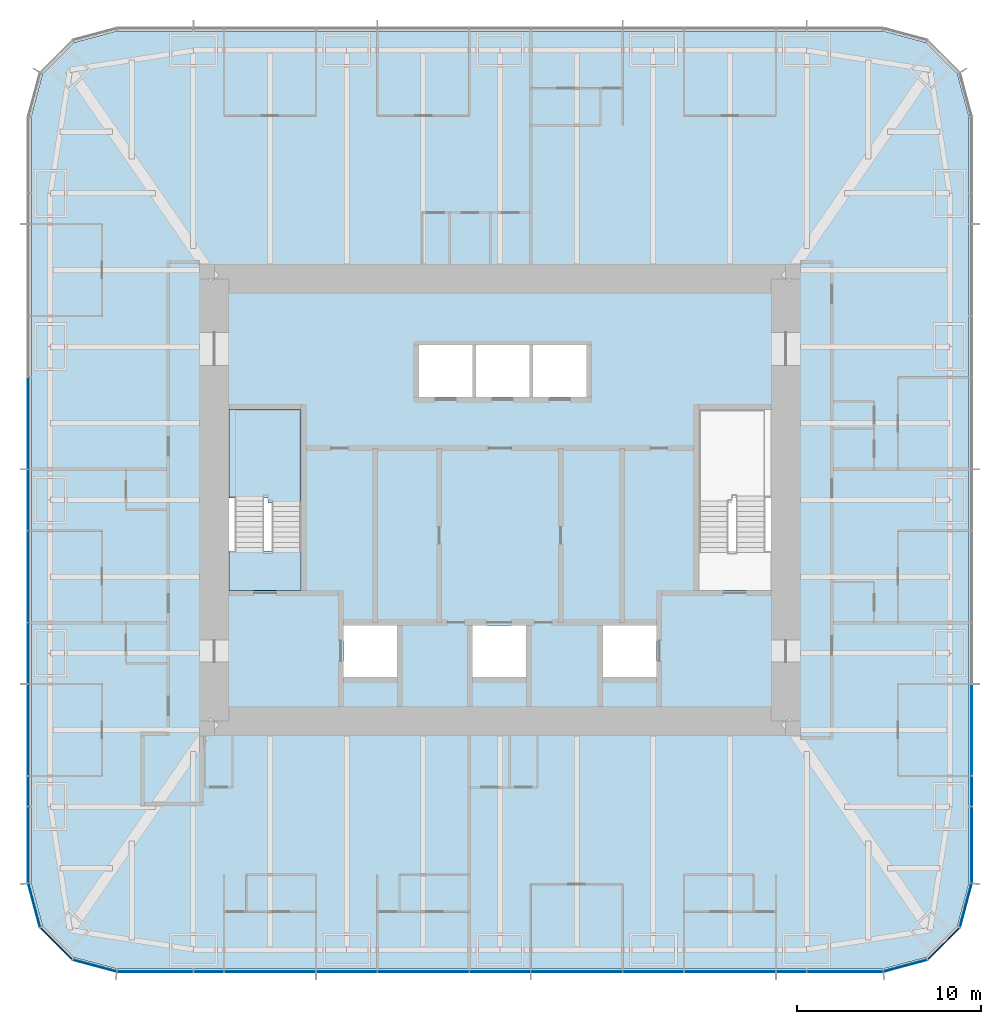
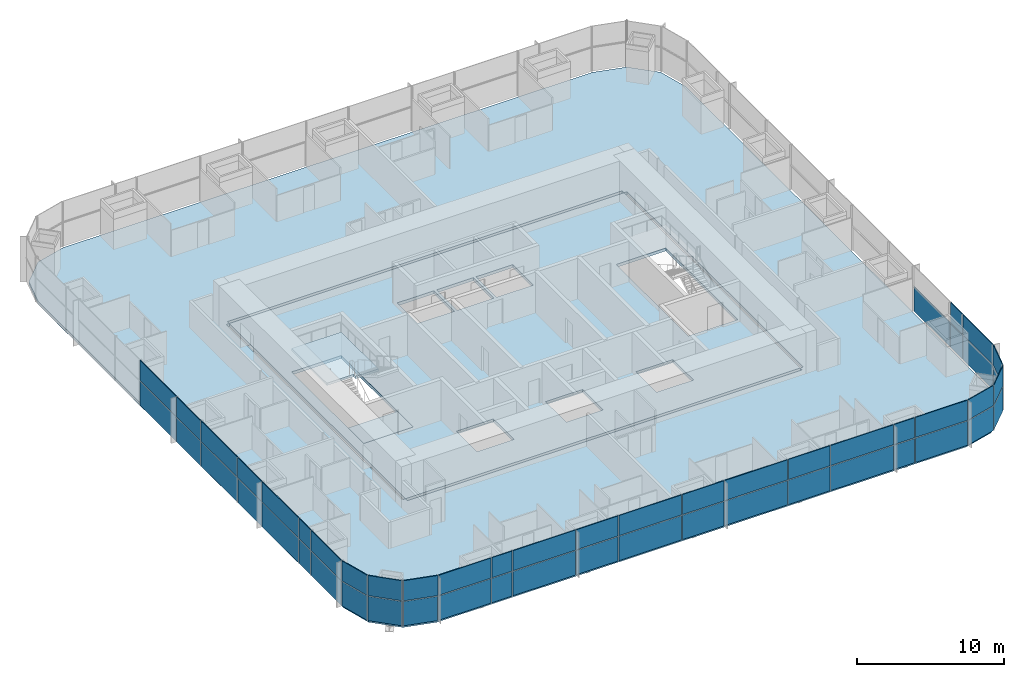
# One storey, part 7 of 13: 53 plates, 4 slabs, 6 elements without a shape of their own.
"""IFC4 building model written with IfcOpenShell, lengths in metres."""

from ifc_helpers import new_model, si_unit, direction, frame, origin, origin_2d, place, context, subcontext, project, spatial, polyline, rectangle, outline, extrude, material, layer, layer_set, type_object, element, aggregate, save


model = new_model("IFC4")

# Units and contexts
model_context = context("Model", 3, precision=1e-05, world=origin(), true_north=direction((0.0, 1.0)))
body_context = subcontext(model_context, "Body", "Model", "MODEL_VIEW")
ifc_project = project(units=[si_unit("LENGTHUNIT", "METRE"), si_unit("AREAUNIT", "SQUARE_METRE"), si_unit("VOLUMEUNIT", "CUBIC_METRE"), si_unit("PLANEANGLEUNIT", "RADIAN"), si_unit("MASSUNIT", "GRAM", prefix="KILO")], contexts=[model_context])

# Site, building, storey
site_placement = place(None, origin())
site = spatial("IfcSite", under=ifc_project, at=site_placement, CompositionType="ELEMENT")
building_placement = place(site_placement, origin())
building = spatial("IfcBuilding", under=site, at=building_placement, Name="Khuree Lantern Residences", CompositionType="ELEMENT")
storey_placement = place(building_placement, frame((0.0, 0.0, 274.5)))
storey = spatial("IfcBuildingStorey", under=building, at=storey_placement, Name="L69", CompositionType="ELEMENT", Elevation=274.5)

# Slab
ifc_material_1 = material(Name="Concrete C35/45", Category="concrete")
ifc_layer_1 = layer(ifc_material_1, 0.25)
ifc_layer_set_1 = layer_set([ifc_layer_1], Name="CFL250 CORE FLOOR SLAB 250")
slab_type_1 = type_object("IfcSlabType", Name="CFL250 CORE FLOOR SLAB 250", PredefinedType="FLOOR", material=ifc_layer_set_1)
slab_1_placement = place(storey_placement, frame((0.0, 0.0, -0.25)))
element("IfcSlab", 1, at=slab_1_placement, inside=storey, type_object=slab_type_1, Name="Core floor L69", PredefinedType="FLOOR", context=body_context, shape_type="SweptSolid", body=[
    extrude(outline(polyline([(-15.5, -12.0), (-15.5, 12.0), (15.5, 12.0), (15.5, -12.0), (-15.5, -12.0)]), holes=[polyline([(10.800048828125, 4.89990234375), (10.800048828125, -4.89990234375), (14.699951171875, -4.89990234375), (14.699951171875, 4.89990234375), (10.800048828125, 4.89990234375)]), polyline([(5.60009765625, -6.800048828125), (5.60009765625, -9.60009765625), (8.5, -9.60009765625), (8.5, -6.800048828125), (5.60009765625, -6.800048828125)]), polyline([(1.800048828125, 8.39990234375), (1.800048828125, 5.60009765625), (4.699951171875, 5.60009765625), (4.699951171875, 8.39990234375), (1.800048828125, 8.39990234375)]), polyline([(-1.300048828125, 8.39990234375), (-1.300048828125, 5.60009765625), (1.60009765625, 5.60009765625), (1.60009765625, 8.39990234375), (-1.300048828125, 8.39990234375)]), polyline([(-1.5, -6.800048828125), (-1.5, -9.60009765625), (1.39990234375, -9.60009765625), (1.39990234375, -6.800048828125), (-1.5, -6.800048828125)]), polyline([(-4.39990234375, 8.39990234375), (-4.39990234375, 5.60009765625), (-1.5, 5.60009765625), (-1.5, 8.39990234375), (-4.39990234375, 8.39990234375)]), polyline([(-8.5, -6.800048828125), (-8.5, -9.60009765625), (-5.60009765625, -9.60009765625), (-5.60009765625, -6.800048828125), (-8.5, -6.800048828125)]), polyline([(-14.699951171875, 4.89990234375), (-14.699951171875, -4.89990234375), (-10.800048828125, -4.89990234375), (-10.800048828125, 4.89990234375), (-14.699951171875, 4.89990234375)])]), origin(), (0.0, 0.0, 1.0), 0.25),
])

# Curtain wall, plates
ifc_material_2 = material(Name="Bronze anodised aluminium", Category="aluminium")
curtain_wall_type_1 = type_object("IfcCurtainWallType", Name="CW-T2 TOWER CORNER CURTAIN WALL", PredefinedType="USERDEFINED", material=ifc_material_2)
curtain_wall_1_placement = place(storey_placement, origin())
curtain_wall_1 = element("IfcCurtainWall", 2, at=curtain_wall_1_placement, inside=storey, type_object=curtain_wall_type_1, Name="L69 SOUTH-EAST CORNER CURTAIN WALL", ObjectType="Faceted corner curtain wall", PredefinedType="USERDEFINED")
ifc_material_3 = material(Name="Bronze tinted triple glazing", Category="glass")
ifc_layer_2 = layer(ifc_material_3, 0.048095703125)
ifc_layer_set_2 = layer_set([ifc_layer_2], Name="FACET PANEL P4")
plate_type_1 = type_object("IfcPlateType", Name="FACET PANEL P4", PredefinedType="CURTAIN_PANEL", material=ifc_layer_set_2)
plate_1_placement = place(storey_placement, frame((21.998046875, -25.279052734375, 0.0), z_axis=(0.0, 0.0, 1.0), x_axis=(0.965925832509, 0.258819021888, 0.0)))
plate_1 = element("IfcPlate", 3, at=plate_1_placement, type_object=plate_type_1, Name="L69 SOUTH-EAST CORNER PANEL 1.1", PredefinedType="CURTAIN_PANEL", context=body_context, shape_type="SweptSolid", body=[
    extrude(rectangle(XDim=2.40869140625, YDim=0.048095703125, at=origin_2d()), origin(), (0.0, 0.0, 1.0), 2.017578125),
])
plate_2_placement = place(storey_placement, frame((24.078369140625, -24.078369140625, 0.0), z_axis=(0.0, 0.0, 1.0), x_axis=(0.707106781187, 0.707106781187, 0.0)))
plate_2 = element("IfcPlate", 4, at=plate_2_placement, type_object=plate_type_1, Name="L69 SOUTH-EAST CORNER PANEL 2.1", PredefinedType="CURTAIN_PANEL", context=body_context, shape_type="SweptSolid", body=[
    extrude(rectangle(XDim=2.404541015625, YDim=0.048095703125, at=origin_2d()), origin(), (0.0, 0.0, 1.0), 2.017578125),
])
plate_3_placement = place(storey_placement, frame((25.279052734375, -21.998046875, 0.0), z_axis=(0.0, 0.0, 1.0), x_axis=(0.258819021888, 0.965925832509, 0.0)))
plate_3 = element("IfcPlate", 5, at=plate_3_placement, type_object=plate_type_1, Name="L69 SOUTH-EAST CORNER PANEL 3.1", PredefinedType="CURTAIN_PANEL", context=body_context, shape_type="SweptSolid", body=[
    extrude(rectangle(XDim=2.40869140625, YDim=0.048095703125, at=origin_2d()), origin(), (0.0, 0.0, 1.0), 2.017578125),
])

curtain_wall_2_placement = place(storey_placement, origin())
curtain_wall_2 = element("IfcCurtainWall", 6, at=curtain_wall_2_placement, inside=storey, type_object=curtain_wall_type_1, Name="L69 SOUTH-WEST CORNER CURTAIN WALL", ObjectType="Faceted corner curtain wall", PredefinedType="USERDEFINED")
plate_4_placement = place(storey_placement, frame((-25.279052734375, -21.998046875, 0.0), z_axis=(0.0, 0.0, 1.0), x_axis=(0.258819021888, -0.965925832509, 0.0)))
plate_4 = element("IfcPlate", 7, at=plate_4_placement, type_object=plate_type_1, Name="L69 SOUTH-WEST CORNER PANEL 43.1", PredefinedType="CURTAIN_PANEL", context=body_context, shape_type="SweptSolid", body=[
    extrude(rectangle(XDim=2.40869140625, YDim=0.048095703125, at=origin_2d()), origin(), (0.0, 0.0, 1.0), 2.017578125),
])
plate_5_placement = place(storey_placement, frame((-24.078369140625, -24.078369140625, 0.0), z_axis=(0.0, 0.0, 1.0), x_axis=(0.707106781187, -0.707106781187, 0.0)))
plate_5 = element("IfcPlate", 8, at=plate_5_placement, type_object=plate_type_1, Name="L69 SOUTH-WEST CORNER PANEL 44.1", PredefinedType="CURTAIN_PANEL", context=body_context, shape_type="SweptSolid", body=[
    extrude(rectangle(XDim=2.404541015625, YDim=0.048095703125, at=origin_2d()), origin(), (0.0, 0.0, 1.0), 2.017578125),
])
plate_6_placement = place(storey_placement, frame((-21.998046875, -25.279052734375, 0.0), z_axis=(0.0, 0.0, 1.0), x_axis=(0.965925832509, -0.258819021888, 0.0)))
plate_6 = element("IfcPlate", 9, at=plate_6_placement, type_object=plate_type_1, Name="L69 SOUTH-WEST CORNER PANEL 45.1", PredefinedType="CURTAIN_PANEL", context=body_context, shape_type="SweptSolid", body=[
    extrude(rectangle(XDim=2.40869140625, YDim=0.048095703125, at=origin_2d()), origin(), (0.0, 0.0, 1.0), 2.017578125),
])

# Curtain wall, plate
curtain_wall_type_2 = type_object("IfcCurtainWallType", Name="CW-T1 TOWER FACE CURTAIN WALL", PredefinedType="USERDEFINED", material=ifc_material_2)
curtain_wall_3_placement = place(storey_placement, origin())
curtain_wall_3 = element("IfcCurtainWall", 10, at=curtain_wall_3_placement, inside=storey, type_object=curtain_wall_type_2, Name="L69 EAST FACE CURTAIN WALL", ObjectType="Stick-built curtain wall", PredefinedType="USERDEFINED")
ifc_material_4 = material(Name="Bronze tinted triple glazing with a ceramic-fritted spandrel band", Category="glass")
ifc_layer_3 = layer(ifc_material_4, 0.048095703125)
ifc_layer_set_3 = layer_set([ifc_layer_3], Name="FIXED LIGHT PANEL P11")
plate_type_2 = type_object("IfcPlateType", Name="FIXED LIGHT PANEL P11", PredefinedType="CURTAIN_PANEL", material=ifc_layer_set_3)
plate_7_placement = place(storey_placement, frame((25.60009765625, -12.47998046875, 0.0), z_axis=(0.0, 0.0, 1.0), x_axis=(0.0, 1.0, 0.0)))
plate_7 = element("IfcPlate", 11, at=plate_7_placement, type_object=plate_type_2, Name="L69 EAST FACE PANEL 6.1", PredefinedType="CURTAIN_PANEL", context=body_context, shape_type="SweptSolid", body=[
    extrude(rectangle(XDim=4.927001953125, YDim=0.048095703125, at=origin_2d()), origin(), (0.0, 0.0, 1.0), 2.017578125),
])

# Curtain wall, plates
curtain_wall_4_placement = place(storey_placement, origin())
curtain_wall_4 = element("IfcCurtainWall", 12, at=curtain_wall_4_placement, inside=storey, type_object=curtain_wall_type_2, Name="L69 WEST FACE CURTAIN WALL", ObjectType="Stick-built curtain wall", PredefinedType="USERDEFINED")
plate_8_placement = place(storey_placement, frame((-25.60009765625, 4.159912109375, 0.0), z_axis=(0.0, 0.0, 1.0), x_axis=(0.0, -1.0, 0.0)))
plate_8 = element("IfcPlate", 13, at=plate_8_placement, type_object=plate_type_2, Name="L69 WEST FACE PANEL 36.1", PredefinedType="CURTAIN_PANEL", context=body_context, shape_type="SweptSolid", body=[
    extrude(rectangle(XDim=4.927001953125, YDim=0.048095703125, at=origin_2d()), origin(), (0.0, 0.0, 1.0), 2.017578125),
])
plate_9_placement = place(storey_placement, frame((-25.60009765625, -4.159912109375, 0.0), z_axis=(0.0, 0.0, 1.0), x_axis=(0.0, -1.0, 0.0)))
plate_9 = element("IfcPlate", 14, at=plate_9_placement, type_object=plate_type_2, Name="L69 WEST FACE PANEL 38.1", PredefinedType="CURTAIN_PANEL", context=body_context, shape_type="SweptSolid", body=[
    extrude(rectangle(XDim=4.927001953125, YDim=0.048095703125, at=origin_2d()), origin(), (0.0, 0.0, 1.0), 2.017578125),
])
plate_10_placement = place(storey_placement, frame((-25.60009765625, -12.47998046875, 0.0), z_axis=(0.0, 0.0, 1.0), x_axis=(0.0, -1.0, 0.0)))
plate_10 = element("IfcPlate", 15, at=plate_10_placement, type_object=plate_type_2, Name="L69 WEST FACE PANEL 40.1", PredefinedType="CURTAIN_PANEL", context=body_context, shape_type="SweptSolid", body=[
    extrude(rectangle(XDim=4.927001953125, YDim=0.048095703125, at=origin_2d()), origin(), (0.0, 0.0, 1.0), 2.017578125),
])

curtain_wall_5_placement = place(storey_placement, origin())
curtain_wall_5 = element("IfcCurtainWall", 16, at=curtain_wall_5_placement, inside=storey, type_object=curtain_wall_type_2, Name="L69 SOUTH FACE CURTAIN WALL", ObjectType="Stick-built curtain wall", PredefinedType="USERDEFINED")
plate_11_placement = place(storey_placement, frame((-12.47998046875, -25.60009765625, 0.0), z_axis=(0.0, 0.0, 1.0), x_axis=(1.0, 0.0, 0.0)))
plate_11 = element("IfcPlate", 17, at=plate_11_placement, type_object=plate_type_2, Name="L69 SOUTH FACE PANEL 48.1", PredefinedType="CURTAIN_PANEL", context=body_context, shape_type="SweptSolid", body=[
    extrude(rectangle(XDim=4.927001953125, YDim=0.048095703125, at=origin_2d()), origin(), (0.0, 0.0, 1.0), 2.017578125),
])
plate_12_placement = place(storey_placement, frame((-4.159912109375, -25.60009765625, 0.0), z_axis=(0.0, 0.0, 1.0), x_axis=(1.0, 0.0, 0.0)))
plate_12 = element("IfcPlate", 18, at=plate_12_placement, type_object=plate_type_2, Name="L69 SOUTH FACE PANEL 50.1", PredefinedType="CURTAIN_PANEL", context=body_context, shape_type="SweptSolid", body=[
    extrude(rectangle(XDim=4.927001953125, YDim=0.048095703125, at=origin_2d()), origin(), (0.0, 0.0, 1.0), 2.017578125),
])
plate_13_placement = place(storey_placement, frame((4.159912109375, -25.60009765625, 0.0), z_axis=(0.0, 0.0, 1.0), x_axis=(1.0, 0.0, 0.0)))
plate_13 = element("IfcPlate", 19, at=plate_13_placement, type_object=plate_type_2, Name="L69 SOUTH FACE PANEL 52.1", PredefinedType="CURTAIN_PANEL", context=body_context, shape_type="SweptSolid", body=[
    extrude(rectangle(XDim=4.927001953125, YDim=0.048095703125, at=origin_2d()), origin(), (0.0, 0.0, 1.0), 2.017578125),
])
plate_14_placement = place(storey_placement, frame((12.47998046875, -25.60009765625, 0.0), z_axis=(0.0, 0.0, 1.0), x_axis=(1.0, 0.0, 0.0)))
plate_14 = element("IfcPlate", 20, at=plate_14_placement, type_object=plate_type_2, Name="L69 SOUTH FACE PANEL 54.1", PredefinedType="CURTAIN_PANEL", context=body_context, shape_type="SweptSolid", body=[
    extrude(rectangle(XDim=4.927001953125, YDim=0.048095703125, at=origin_2d()), origin(), (0.0, 0.0, 1.0), 2.017578125),
])

# Slab
ifc_layer_4 = layer(ifc_material_1, 0.25)
ifc_layer_set_4 = layer_set([ifc_layer_4], Name="FS250 FLOOR SLAB 250")
slab_type_2 = type_object("IfcSlabType", Name="FS250 FLOOR SLAB 250", PredefinedType="FLOOR", material=ifc_layer_set_4)
slab_2_placement = place(storey_placement, frame((0.0, 0.0, -0.25)))
element("IfcSlab", 21, at=slab_2_placement, inside=storey, type_object=slab_type_2, Name="Floor slab L69", PredefinedType="FLOOR", context=body_context, shape_type="SweptSolid", body=[
    extrude(outline(polyline([(-23.125, -24.826904296875), (-24.826904296875, -23.125), (-25.449951171875, -20.800048828125), (-25.449951171875, 20.800048828125), (-24.826904296875, 23.125), (-23.125, 24.826904296875), (-20.800048828125, 25.449951171875), (20.800048828125, 25.449951171875), (23.125, 24.826904296875), (24.826904296875, 23.125), (25.449951171875, 20.800048828125), (25.449951171875, -20.800048828125), (24.826904296875, -23.125), (23.125, -24.826904296875), (20.800048828125, -25.449951171875), (-20.800048828125, -25.449951171875), (-23.125, -24.826904296875)]), holes=[polyline([(15.75, 12.0), (15.5, 12.0), (15.5, 12.25), (-15.5, 12.25), (-15.5, 12.0), (-15.75, 12.0), (-15.75, -12.0), (-15.5, -12.0), (-15.5, -12.25), (15.5, -12.25), (15.5, -12.0), (15.75, -12.0), (15.75, 12.0)])]), origin(), (0.0, 0.0, 1.0), 0.25),
])

# Plate
ifc_material_5 = material(Name="Bronze tinted triple glazing, two aluminium-framed sashes in one frame", Category="aluminium")
ifc_layer_5 = layer(ifc_material_5, 0.048095703125)
ifc_layer_set_5 = layer_set([ifc_layer_5], Name="SASH PAIR PANEL P12")
plate_type_3 = type_object("IfcPlateType", Name="SASH PAIR PANEL P12", PredefinedType="CURTAIN_PANEL", material=ifc_layer_set_5)
plate_15_placement = place(storey_placement, frame((-25.60009765625, 0.0, 0.0), z_axis=(0.0, 0.0, 1.0), x_axis=(0.0, -1.0, 0.0)))
plate_15 = element("IfcPlate", 22, at=plate_15_placement, type_object=plate_type_3, Name="L69 WEST FACE PANEL 37.1", PredefinedType="CURTAIN_PANEL", context=body_context, shape_type="SweptSolid", body=[
    extrude(rectangle(XDim=3.262939453125, YDim=0.048095703125, at=origin_2d()), origin(), (0.0, 0.0, 1.0), 2.017578125),
])

plate_16_placement = place(storey_placement, frame((-25.60009765625, -8.320068359375, 0.0), z_axis=(0.0, 0.0, 1.0), x_axis=(0.0, -1.0, 0.0)))
plate_16 = element("IfcPlate", 23, at=plate_16_placement, type_object=plate_type_3, Name="L69 WEST FACE PANEL 39.1", PredefinedType="CURTAIN_PANEL", context=body_context, shape_type="SweptSolid", body=[
    extrude(rectangle(XDim=3.262939453125, YDim=0.048095703125, at=origin_2d()), origin(), (0.0, 0.0, 1.0), 2.017578125),
])

plate_17_placement = place(storey_placement, frame((-8.320068359375, -25.60009765625, 0.0), z_axis=(0.0, 0.0, 1.0), x_axis=(1.0, 0.0, 0.0)))
plate_17 = element("IfcPlate", 24, at=plate_17_placement, type_object=plate_type_3, Name="L69 SOUTH FACE PANEL 49.1", PredefinedType="CURTAIN_PANEL", context=body_context, shape_type="SweptSolid", body=[
    extrude(rectangle(XDim=3.262939453125, YDim=0.048095703125, at=origin_2d()), origin(), (0.0, 0.0, 1.0), 2.017578125),
])

plate_18_placement = place(storey_placement, frame((0.0, -25.60009765625, 0.0), z_axis=(0.0, 0.0, 1.0), x_axis=(1.0, 0.0, 0.0)))
plate_18 = element("IfcPlate", 25, at=plate_18_placement, type_object=plate_type_3, Name="L69 SOUTH FACE PANEL 51.1", PredefinedType="CURTAIN_PANEL", context=body_context, shape_type="SweptSolid", body=[
    extrude(rectangle(XDim=3.262939453125, YDim=0.048095703125, at=origin_2d()), origin(), (0.0, 0.0, 1.0), 2.017578125),
])

plate_19_placement = place(storey_placement, frame((8.320068359375, -25.60009765625, 0.0), z_axis=(0.0, 0.0, 1.0), x_axis=(1.0, 0.0, 0.0)))
plate_19 = element("IfcPlate", 26, at=plate_19_placement, type_object=plate_type_3, Name="L69 SOUTH FACE PANEL 53.1", PredefinedType="CURTAIN_PANEL", context=body_context, shape_type="SweptSolid", body=[
    extrude(rectangle(XDim=3.262939453125, YDim=0.048095703125, at=origin_2d()), origin(), (0.0, 0.0, 1.0), 2.017578125),
])

ifc_material_6 = material(Name="Bronze tinted triple glazing, aluminium-framed sash", Category="aluminium")
ifc_layer_6 = layer(ifc_material_6, 0.048095703125)
ifc_layer_set_6 = layer_set([ifc_layer_6], Name="SASH PANEL P3")
plate_type_4 = type_object("IfcPlateType", Name="SASH PANEL P3", PredefinedType="CURTAIN_PANEL", material=ifc_layer_set_6)
plate_20_placement = place(storey_placement, frame((25.60009765625, -15.80810546875, 0.0), z_axis=(0.0, 0.0, 1.0), x_axis=(0.0, 1.0, 0.0)))
plate_20 = element("IfcPlate", 27, at=plate_20_placement, type_object=plate_type_4, Name="L69 EAST FACE PANEL 5.1", PredefinedType="CURTAIN_PANEL", context=body_context, shape_type="SweptSolid", body=[
    extrude(rectangle(XDim=1.59912109375, YDim=0.048095703125, at=origin_2d()), origin(), (0.0, 0.0, 1.0), 2.017578125),
])

plate_21_placement = place(storey_placement, frame((-25.60009765625, -15.80810546875, 0.0), z_axis=(0.0, 0.0, 1.0), x_axis=(0.0, -1.0, 0.0)))
plate_21 = element("IfcPlate", 28, at=plate_21_placement, type_object=plate_type_4, Name="L69 WEST FACE PANEL 41.1", PredefinedType="CURTAIN_PANEL", context=body_context, shape_type="SweptSolid", body=[
    extrude(rectangle(XDim=1.59912109375, YDim=0.048095703125, at=origin_2d()), origin(), (0.0, 0.0, 1.0), 2.017578125),
])

plate_22_placement = place(storey_placement, frame((-15.80810546875, -25.60009765625, 0.0), z_axis=(0.0, 0.0, 1.0), x_axis=(1.0, 0.0, 0.0)))
plate_22 = element("IfcPlate", 29, at=plate_22_placement, type_object=plate_type_4, Name="L69 SOUTH FACE PANEL 47.1", PredefinedType="CURTAIN_PANEL", context=body_context, shape_type="SweptSolid", body=[
    extrude(rectangle(XDim=1.59912109375, YDim=0.048095703125, at=origin_2d()), origin(), (0.0, 0.0, 1.0), 2.017578125),
])

plate_23_placement = place(storey_placement, frame((15.80810546875, -25.60009765625, 0.0), z_axis=(0.0, 0.0, 1.0), x_axis=(1.0, 0.0, 0.0)))
plate_23 = element("IfcPlate", 30, at=plate_23_placement, type_object=plate_type_4, Name="L69 SOUTH FACE PANEL 55.1", PredefinedType="CURTAIN_PANEL", context=body_context, shape_type="SweptSolid", body=[
    extrude(rectangle(XDim=1.59912109375, YDim=0.048095703125, at=origin_2d()), origin(), (0.0, 0.0, 1.0), 2.017578125),
])

ifc_material_7 = material(Name="Bronze anodised aluminium insulated spandrel", Category="aluminium")
ifc_layer_7 = layer(ifc_material_7, 0.06005859375)
ifc_layer_set_7 = layer_set([ifc_layer_7], Name="SPANDREL PANEL P2")
plate_type_5 = type_object("IfcPlateType", Name="SPANDREL PANEL P2", PredefinedType="CURTAIN_PANEL", material=ifc_layer_set_7)
plate_24_placement = place(storey_placement, frame((21.99755859375, -25.279052734375, 2.08251953125), z_axis=(0.0, 0.0, 1.0), x_axis=(0.965925832509, 0.258819021888, 0.0)))
plate_24 = element("IfcPlate", 31, at=plate_24_placement, type_object=plate_type_5, Name="L69 SOUTH-EAST CORNER PANEL 1.2", PredefinedType="CURTAIN_PANEL", context=body_context, shape_type="SweptSolid", body=[
    extrude(rectangle(XDim=2.40625, YDim=0.06005859375, at=origin_2d()), origin(), (0.0, 0.0, 1.0), 1.66748046875),
])

plate_25_placement = place(storey_placement, frame((24.078369140625, -24.078369140625, 2.08251953125), z_axis=(0.0, 0.0, 1.0), x_axis=(0.707106781187, 0.707106781187, 0.0)))
plate_25 = element("IfcPlate", 32, at=plate_25_placement, type_object=plate_type_5, Name="L69 SOUTH-EAST CORNER PANEL 2.2", PredefinedType="CURTAIN_PANEL", context=body_context, shape_type="SweptSolid", body=[
    extrude(rectangle(XDim=2.4013671875, YDim=0.06005859375, at=origin_2d()), origin(), (0.0, 0.0, 1.0), 1.66748046875),
])

plate_26_placement = place(storey_placement, frame((25.279052734375, -21.99755859375, 2.08251953125), z_axis=(0.0, 0.0, 1.0), x_axis=(0.258819021888, 0.965925832509, 0.0)))
plate_26 = element("IfcPlate", 33, at=plate_26_placement, type_object=plate_type_5, Name="L69 SOUTH-EAST CORNER PANEL 3.2", PredefinedType="CURTAIN_PANEL", context=body_context, shape_type="SweptSolid", body=[
    extrude(rectangle(XDim=2.40625, YDim=0.06005859375, at=origin_2d()), origin(), (0.0, 0.0, 1.0), 1.66748046875),
])

aggregate(curtain_wall_1, [plate_1, plate_24, plate_2, plate_25, plate_3, plate_26])

plate_27_placement = place(storey_placement, frame((25.60009765625, -18.7177734375, 2.08251953125), z_axis=(0.0, 0.0, 1.0), x_axis=(0.0, 1.0, 0.0)))
plate_27 = element("IfcPlate", 34, at=plate_27_placement, type_object=plate_type_5, Name="L69 EAST FACE PANEL 4.2", PredefinedType="CURTAIN_PANEL", context=body_context, shape_type="SweptSolid", body=[
    extrude(rectangle(XDim=4.0908203125, YDim=0.06005859375, at=origin_2d()), origin(), (0.0, 0.0, 1.0), 1.66748046875),
])

plate_28_placement = place(storey_placement, frame((25.60009765625, -15.80810546875, 2.08251953125), z_axis=(0.0, 0.0, 1.0), x_axis=(0.0, 1.0, 0.0)))
plate_28 = element("IfcPlate", 35, at=plate_28_placement, type_object=plate_type_5, Name="L69 EAST FACE PANEL 5.2", PredefinedType="CURTAIN_PANEL", context=body_context, shape_type="SweptSolid", body=[
    extrude(rectangle(XDim=1.59912109375, YDim=0.06005859375, at=origin_2d()), origin(), (0.0, 0.0, 1.0), 1.66748046875),
])

plate_29_placement = place(storey_placement, frame((-25.60009765625, 4.159912109375, 2.08251953125), z_axis=(0.0, 0.0, 1.0), x_axis=(0.0, -1.0, 0.0)))
plate_29 = element("IfcPlate", 36, at=plate_29_placement, type_object=plate_type_5, Name="L69 WEST FACE PANEL 36.2", PredefinedType="CURTAIN_PANEL", context=body_context, shape_type="SweptSolid", body=[
    extrude(rectangle(XDim=4.927001953125, YDim=0.06005859375, at=origin_2d()), origin(), (0.0, 0.0, 1.0), 1.66748046875),
])

plate_30_placement = place(storey_placement, frame((-25.60009765625, 0.0, 2.08251953125), z_axis=(0.0, 0.0, 1.0), x_axis=(0.0, -1.0, 0.0)))
plate_30 = element("IfcPlate", 37, at=plate_30_placement, type_object=plate_type_5, Name="L69 WEST FACE PANEL 37.2", PredefinedType="CURTAIN_PANEL", context=body_context, shape_type="SweptSolid", body=[
    extrude(rectangle(XDim=3.262939453125, YDim=0.06005859375, at=origin_2d()), origin(), (0.0, 0.0, 1.0), 1.66748046875),
])

plate_31_placement = place(storey_placement, frame((-25.60009765625, -4.159912109375, 2.08251953125), z_axis=(0.0, 0.0, 1.0), x_axis=(0.0, -1.0, 0.0)))
plate_31 = element("IfcPlate", 38, at=plate_31_placement, type_object=plate_type_5, Name="L69 WEST FACE PANEL 38.2", PredefinedType="CURTAIN_PANEL", context=body_context, shape_type="SweptSolid", body=[
    extrude(rectangle(XDim=4.927001953125, YDim=0.06005859375, at=origin_2d()), origin(), (0.0, 0.0, 1.0), 1.66748046875),
])

plate_32_placement = place(storey_placement, frame((-25.60009765625, -8.320068359375, 2.08251953125), z_axis=(0.0, 0.0, 1.0), x_axis=(0.0, -1.0, 0.0)))
plate_32 = element("IfcPlate", 39, at=plate_32_placement, type_object=plate_type_5, Name="L69 WEST FACE PANEL 39.2", PredefinedType="CURTAIN_PANEL", context=body_context, shape_type="SweptSolid", body=[
    extrude(rectangle(XDim=3.262939453125, YDim=0.06005859375, at=origin_2d()), origin(), (0.0, 0.0, 1.0), 1.66748046875),
])

plate_33_placement = place(storey_placement, frame((-25.60009765625, -12.47998046875, 2.08251953125), z_axis=(0.0, 0.0, 1.0), x_axis=(0.0, -1.0, 0.0)))
plate_33 = element("IfcPlate", 40, at=plate_33_placement, type_object=plate_type_5, Name="L69 WEST FACE PANEL 40.2", PredefinedType="CURTAIN_PANEL", context=body_context, shape_type="SweptSolid", body=[
    extrude(rectangle(XDim=4.927001953125, YDim=0.06005859375, at=origin_2d()), origin(), (0.0, 0.0, 1.0), 1.66748046875),
])

plate_34_placement = place(storey_placement, frame((-25.60009765625, -15.80810546875, 2.08251953125), z_axis=(0.0, 0.0, 1.0), x_axis=(0.0, -1.0, 0.0)))
plate_34 = element("IfcPlate", 41, at=plate_34_placement, type_object=plate_type_5, Name="L69 WEST FACE PANEL 41.2", PredefinedType="CURTAIN_PANEL", context=body_context, shape_type="SweptSolid", body=[
    extrude(rectangle(XDim=1.59912109375, YDim=0.06005859375, at=origin_2d()), origin(), (0.0, 0.0, 1.0), 1.66748046875),
])

plate_35_placement = place(storey_placement, frame((-25.60009765625, -18.7177734375, 2.08251953125), z_axis=(0.0, 0.0, 1.0), x_axis=(0.0, -1.0, 0.0)))
plate_35 = element("IfcPlate", 42, at=plate_35_placement, type_object=plate_type_5, Name="L69 WEST FACE PANEL 42.2", PredefinedType="CURTAIN_PANEL", context=body_context, shape_type="SweptSolid", body=[
    extrude(rectangle(XDim=4.0908203125, YDim=0.06005859375, at=origin_2d()), origin(), (0.0, 0.0, 1.0), 1.66748046875),
])

plate_36_placement = place(storey_placement, frame((-25.279052734375, -21.99755859375, 2.08251953125), z_axis=(0.0, 0.0, 1.0), x_axis=(0.258819021888, -0.965925832509, 0.0)))
plate_36 = element("IfcPlate", 43, at=plate_36_placement, type_object=plate_type_5, Name="L69 SOUTH-WEST CORNER PANEL 43.2", PredefinedType="CURTAIN_PANEL", context=body_context, shape_type="SweptSolid", body=[
    extrude(rectangle(XDim=2.40625, YDim=0.06005859375, at=origin_2d()), origin(), (0.0, 0.0, 1.0), 1.66748046875),
])

plate_37_placement = place(storey_placement, frame((-24.078369140625, -24.078369140625, 2.08251953125), z_axis=(0.0, 0.0, 1.0), x_axis=(0.707106781187, -0.707106781187, 0.0)))
plate_37 = element("IfcPlate", 44, at=plate_37_placement, type_object=plate_type_5, Name="L69 SOUTH-WEST CORNER PANEL 44.2", PredefinedType="CURTAIN_PANEL", context=body_context, shape_type="SweptSolid", body=[
    extrude(rectangle(XDim=2.4013671875, YDim=0.06005859375, at=origin_2d()), origin(), (0.0, 0.0, 1.0), 1.66748046875),
])

plate_38_placement = place(storey_placement, frame((-21.99755859375, -25.279052734375, 2.08251953125), z_axis=(0.0, 0.0, 1.0), x_axis=(0.965925832509, -0.258819021888, 0.0)))
plate_38 = element("IfcPlate", 45, at=plate_38_placement, type_object=plate_type_5, Name="L69 SOUTH-WEST CORNER PANEL 45.2", PredefinedType="CURTAIN_PANEL", context=body_context, shape_type="SweptSolid", body=[
    extrude(rectangle(XDim=2.40625, YDim=0.06005859375, at=origin_2d()), origin(), (0.0, 0.0, 1.0), 1.66748046875),
])

aggregate(curtain_wall_2, [plate_4, plate_36, plate_5, plate_37, plate_6, plate_38])

plate_39_placement = place(storey_placement, frame((-18.7177734375, -25.60009765625, 2.08251953125), z_axis=(0.0, 0.0, 1.0), x_axis=(1.0, 0.0, 0.0)))
plate_39 = element("IfcPlate", 46, at=plate_39_placement, type_object=plate_type_5, Name="L69 SOUTH FACE PANEL 46.2", PredefinedType="CURTAIN_PANEL", context=body_context, shape_type="SweptSolid", body=[
    extrude(rectangle(XDim=4.0908203125, YDim=0.06005859375, at=origin_2d()), origin(), (0.0, 0.0, 1.0), 1.66748046875),
])

plate_40_placement = place(storey_placement, frame((-15.80810546875, -25.60009765625, 2.08251953125), z_axis=(0.0, 0.0, 1.0), x_axis=(1.0, 0.0, 0.0)))
plate_40 = element("IfcPlate", 47, at=plate_40_placement, type_object=plate_type_5, Name="L69 SOUTH FACE PANEL 47.2", PredefinedType="CURTAIN_PANEL", context=body_context, shape_type="SweptSolid", body=[
    extrude(rectangle(XDim=1.59912109375, YDim=0.06005859375, at=origin_2d()), origin(), (0.0, 0.0, 1.0), 1.66748046875),
])

plate_41_placement = place(storey_placement, frame((-12.47998046875, -25.60009765625, 2.08251953125), z_axis=(0.0, 0.0, 1.0), x_axis=(1.0, 0.0, 0.0)))
plate_41 = element("IfcPlate", 48, at=plate_41_placement, type_object=plate_type_5, Name="L69 SOUTH FACE PANEL 48.2", PredefinedType="CURTAIN_PANEL", context=body_context, shape_type="SweptSolid", body=[
    extrude(rectangle(XDim=4.927001953125, YDim=0.06005859375, at=origin_2d()), origin(), (0.0, 0.0, 1.0), 1.66748046875),
])

plate_42_placement = place(storey_placement, frame((-8.320068359375, -25.60009765625, 2.08251953125), z_axis=(0.0, 0.0, 1.0), x_axis=(1.0, 0.0, 0.0)))
plate_42 = element("IfcPlate", 49, at=plate_42_placement, type_object=plate_type_5, Name="L69 SOUTH FACE PANEL 49.2", PredefinedType="CURTAIN_PANEL", context=body_context, shape_type="SweptSolid", body=[
    extrude(rectangle(XDim=3.262939453125, YDim=0.06005859375, at=origin_2d()), origin(), (0.0, 0.0, 1.0), 1.66748046875),
])

plate_43_placement = place(storey_placement, frame((-4.159912109375, -25.60009765625, 2.08251953125), z_axis=(0.0, 0.0, 1.0), x_axis=(1.0, 0.0, 0.0)))
plate_43 = element("IfcPlate", 50, at=plate_43_placement, type_object=plate_type_5, Name="L69 SOUTH FACE PANEL 50.2", PredefinedType="CURTAIN_PANEL", context=body_context, shape_type="SweptSolid", body=[
    extrude(rectangle(XDim=4.927001953125, YDim=0.06005859375, at=origin_2d()), origin(), (0.0, 0.0, 1.0), 1.66748046875),
])

plate_44_placement = place(storey_placement, frame((0.0, -25.60009765625, 2.08251953125), z_axis=(0.0, 0.0, 1.0), x_axis=(1.0, 0.0, 0.0)))
plate_44 = element("IfcPlate", 51, at=plate_44_placement, type_object=plate_type_5, Name="L69 SOUTH FACE PANEL 51.2", PredefinedType="CURTAIN_PANEL", context=body_context, shape_type="SweptSolid", body=[
    extrude(rectangle(XDim=3.262939453125, YDim=0.06005859375, at=origin_2d()), origin(), (0.0, 0.0, 1.0), 1.66748046875),
])

plate_45_placement = place(storey_placement, frame((4.159912109375, -25.60009765625, 2.08251953125), z_axis=(0.0, 0.0, 1.0), x_axis=(1.0, 0.0, 0.0)))
plate_45 = element("IfcPlate", 52, at=plate_45_placement, type_object=plate_type_5, Name="L69 SOUTH FACE PANEL 52.2", PredefinedType="CURTAIN_PANEL", context=body_context, shape_type="SweptSolid", body=[
    extrude(rectangle(XDim=4.927001953125, YDim=0.06005859375, at=origin_2d()), origin(), (0.0, 0.0, 1.0), 1.66748046875),
])

plate_46_placement = place(storey_placement, frame((8.320068359375, -25.60009765625, 2.08251953125), z_axis=(0.0, 0.0, 1.0), x_axis=(1.0, 0.0, 0.0)))
plate_46 = element("IfcPlate", 53, at=plate_46_placement, type_object=plate_type_5, Name="L69 SOUTH FACE PANEL 53.2", PredefinedType="CURTAIN_PANEL", context=body_context, shape_type="SweptSolid", body=[
    extrude(rectangle(XDim=3.262939453125, YDim=0.06005859375, at=origin_2d()), origin(), (0.0, 0.0, 1.0), 1.66748046875),
])

plate_47_placement = place(storey_placement, frame((12.47998046875, -25.60009765625, 2.08251953125), z_axis=(0.0, 0.0, 1.0), x_axis=(1.0, 0.0, 0.0)))
plate_47 = element("IfcPlate", 54, at=plate_47_placement, type_object=plate_type_5, Name="L69 SOUTH FACE PANEL 54.2", PredefinedType="CURTAIN_PANEL", context=body_context, shape_type="SweptSolid", body=[
    extrude(rectangle(XDim=4.927001953125, YDim=0.06005859375, at=origin_2d()), origin(), (0.0, 0.0, 1.0), 1.66748046875),
])

plate_48_placement = place(storey_placement, frame((15.80810546875, -25.60009765625, 2.08251953125), z_axis=(0.0, 0.0, 1.0), x_axis=(1.0, 0.0, 0.0)))
plate_48 = element("IfcPlate", 55, at=plate_48_placement, type_object=plate_type_5, Name="L69 SOUTH FACE PANEL 55.2", PredefinedType="CURTAIN_PANEL", context=body_context, shape_type="SweptSolid", body=[
    extrude(rectangle(XDim=1.59912109375, YDim=0.06005859375, at=origin_2d()), origin(), (0.0, 0.0, 1.0), 1.66748046875),
])

plate_49_placement = place(storey_placement, frame((18.7177734375, -25.60009765625, 2.08251953125), z_axis=(0.0, 0.0, 1.0), x_axis=(1.0, 0.0, 0.0)))
plate_49 = element("IfcPlate", 56, at=plate_49_placement, type_object=plate_type_5, Name="L69 SOUTH FACE PANEL 56.2", PredefinedType="CURTAIN_PANEL", context=body_context, shape_type="SweptSolid", body=[
    extrude(rectangle(XDim=4.0908203125, YDim=0.06005859375, at=origin_2d()), origin(), (0.0, 0.0, 1.0), 1.66748046875),
])

# Stair, slabs
ifc_material_8 = material(Name="Concrete C40/50", Category="concrete")
stair_type = type_object("IfcStairType", Name="STAIR ST1 HALF TURN 3600", PredefinedType="HALF_TURN_STAIR", material=ifc_material_8)
stair_placement = place(storey_placement, origin())
stair = element("IfcStair", 57, at=stair_placement, inside=storey, type_object=stair_type, Name="Stair ST1", PredefinedType="HALF_TURN_STAIR")
ifc_layer_8 = layer(ifc_material_8, 0.199951171875)
ifc_layer_set_8 = layer_set([ifc_layer_8], Name="STAIR LANDING SL1 200")
slab_type_3 = type_object("IfcSlabType", Name="STAIR LANDING SL1 200", PredefinedType="LANDING", material=ifc_layer_set_8)
slab_3_placement = place(storey_placement, frame((0.0, 0.0, -0.199951171875)))
slab_3 = element("IfcSlab", 58, at=slab_3_placement, type_object=slab_type_3, Name="ST1 landing 1", PredefinedType="LANDING", context=body_context, shape_type="SweptSolid", body=[
    extrude(outline(polyline([(-14.699951171875, -4.89990234375), (-10.800048828125, -4.89990234375), (-10.800048828125, -2.760009765625), (-14.699951171875, -2.760009765625), (-14.699951171875, -4.89990234375)])), origin(), (0.0, 0.0, 1.0), 0.199951171875),
])
slab_4_placement = place(storey_placement, frame((0.0, 0.0, 1.756591796875)))
slab_4 = element("IfcSlab", 59, at=slab_4_placement, type_object=slab_type_3, Name="ST1 landing 2", PredefinedType="LANDING", context=body_context, shape_type="SweptSolid", body=[
    extrude(outline(polyline([(-14.699951171875, 0.1201171875), (-14.699951171875, 4.89990234375), (-10.800048828125, 4.89990234375), (-10.800048828125, -0.159912109375), (-12.60009765625, -0.159912109375), (-12.60009765625, 0.1201171875), (-14.699951171875, 0.1201171875)])), origin(), (0.0, 0.0, 1.0), 0.199951171875),
])
aggregate(stair, [slab_3, slab_4])

# Plate
ifc_layer_9 = layer(ifc_material_3, 0.048095703125)
ifc_layer_set_9 = layer_set([ifc_layer_9], Name="VISION PANEL P1")
plate_type_6 = type_object("IfcPlateType", Name="VISION PANEL P1", PredefinedType="CURTAIN_PANEL", material=ifc_layer_set_9)
plate_50_placement = place(storey_placement, frame((25.60009765625, -18.71826171875, 0.0), z_axis=(0.0, 0.0, 1.0), x_axis=(0.0, 1.0, 0.0)))
plate_50 = element("IfcPlate", 60, at=plate_50_placement, type_object=plate_type_6, Name="L69 EAST FACE PANEL 4.1", PredefinedType="CURTAIN_PANEL", context=body_context, shape_type="SweptSolid", body=[
    extrude(rectangle(XDim=4.091552734375, YDim=0.048095703125, at=origin_2d()), origin(), (0.0, 0.0, 1.0), 2.017578125),
])

aggregate(curtain_wall_3, [plate_50, plate_27, plate_20, plate_28, plate_7])

plate_51_placement = place(storey_placement, frame((-25.60009765625, -18.71826171875, 0.0), z_axis=(0.0, 0.0, 1.0), x_axis=(0.0, -1.0, 0.0)))
plate_51 = element("IfcPlate", 61, at=plate_51_placement, type_object=plate_type_6, Name="L69 WEST FACE PANEL 42.1", PredefinedType="CURTAIN_PANEL", context=body_context, shape_type="SweptSolid", body=[
    extrude(rectangle(XDim=4.091552734375, YDim=0.048095703125, at=origin_2d()), origin(), (0.0, 0.0, 1.0), 2.017578125),
])

aggregate(curtain_wall_4, [plate_8, plate_29, plate_15, plate_30, plate_9, plate_31, plate_16, plate_32, plate_10, plate_33, plate_21, plate_34, plate_51, plate_35])

plate_52_placement = place(storey_placement, frame((-18.71826171875, -25.60009765625, 0.0), z_axis=(0.0, 0.0, 1.0), x_axis=(1.0, 0.0, 0.0)))
plate_52 = element("IfcPlate", 62, at=plate_52_placement, type_object=plate_type_6, Name="L69 SOUTH FACE PANEL 46.1", PredefinedType="CURTAIN_PANEL", context=body_context, shape_type="SweptSolid", body=[
    extrude(rectangle(XDim=4.091552734375, YDim=0.048095703125, at=origin_2d()), origin(), (0.0, 0.0, 1.0), 2.017578125),
])

plate_53_placement = place(storey_placement, frame((18.71826171875, -25.60009765625, 0.0), z_axis=(0.0, 0.0, 1.0), x_axis=(1.0, 0.0, 0.0)))
plate_53 = element("IfcPlate", 63, at=plate_53_placement, type_object=plate_type_6, Name="L69 SOUTH FACE PANEL 56.1", PredefinedType="CURTAIN_PANEL", context=body_context, shape_type="SweptSolid", body=[
    extrude(rectangle(XDim=4.091552734375, YDim=0.048095703125, at=origin_2d()), origin(), (0.0, 0.0, 1.0), 2.017578125),
])

aggregate(curtain_wall_5, [plate_52, plate_39, plate_22, plate_40, plate_11, plate_41, plate_17, plate_42, plate_12, plate_43, plate_18, plate_44, plate_13, plate_45, plate_19, plate_46, plate_14, plate_47, plate_23, plate_48, plate_53, plate_49])

save(model, "model.ifc")
